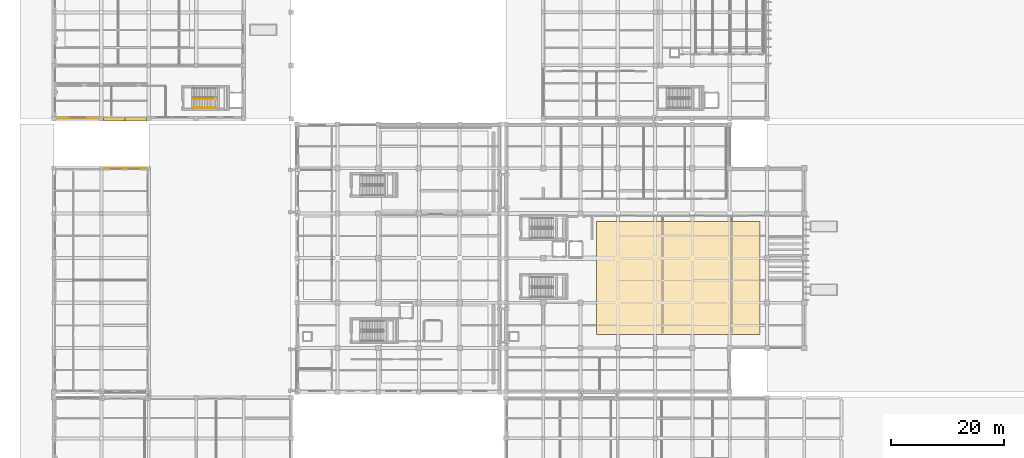
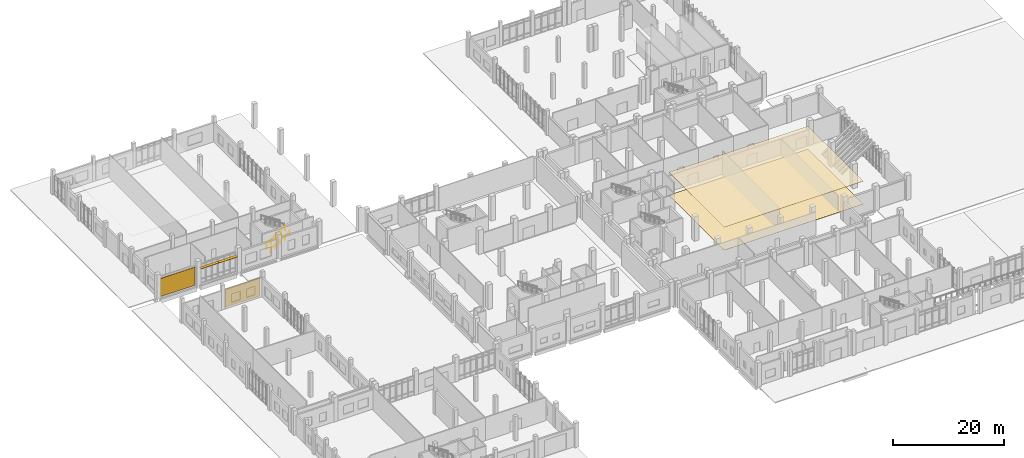
# One storey, part 74 of 79: 4 coverings, 2 railings, 2 shading devices.
"""IFC4 building model written with IfcOpenShell, lengths in metres."""

from ifc_helpers import new_model, si_unit, direction, frame, origin, origin_2d, place, context, subcontext, project, spatial, polyline, rectangle, circle, outline, extrude, material, layer, layer_set, type_object, element, save


model = new_model("IFC4")

# Units and contexts
model_context = context("Model", 3, precision=1e-05, world=origin(), true_north=direction((0.0, 1.0)))
body_context = subcontext(model_context, "Body", "Model", "MODEL_VIEW")
ifc_project = project(units=[si_unit("LENGTHUNIT", "METRE"), si_unit("AREAUNIT", "SQUARE_METRE"), si_unit("VOLUMEUNIT", "CUBIC_METRE"), si_unit("PLANEANGLEUNIT", "RADIAN"), si_unit("MASSUNIT", "GRAM", prefix="KILO")], contexts=[model_context])

# Site, building, storey
site_placement = place(None, origin())
site = spatial("IfcSite", under=ifc_project, at=site_placement, CompositionType="ELEMENT")
building_placement = place(site_placement, origin())
building = spatial("IfcBuilding", under=site, at=building_placement, Name="Kelarvand Opera House", CompositionType="ELEMENT")
storey_placement = place(building_placement, origin())
storey = spatial("IfcBuildingStorey", under=building, at=storey_placement, Name="L00", CompositionType="ELEMENT", Elevation=0.0)

# Coverings
ifc_material_1 = material(Name="Azarshahr buff travertine stone panels", Category="masonry")
ifc_layer_1 = layer(ifc_material_1, 0.06005859375, Name="Azarshahr buff travertine stone panels", Category="masonry")
ifc_layer_set_1 = layer_set([ifc_layer_1], Name="Azarshahr buff travertine stone panels")
covering_type_1 = type_object("IfcCoveringType", Name="Azarshahr Honed Travertine Rainscreen Cladding 60mm", PredefinedType="CLADDING", material=ifc_layer_set_1)
covering_1_placement = place(storey_placement, frame((13.199951171875, 87.174072265625, 0.10009765625), z_axis=(0.0, 0.0, 1.0), x_axis=(-1.0, 0.0, 0.0)))
element("IfcCovering", 1, at=covering_1_placement, inside=storey, type_object=covering_type_1, Name="V3 Travertine Facade Cladding 11", PredefinedType="CLADDING", context=body_context, shape_type="SweptSolid", body=[
    extrude(rectangle(XDim=7.179931640625, YDim=0.06005859375, at=origin_2d()), origin(), (0.0, 0.0, 1.0), 3.991943359375),
])
covering_2_placement = place(storey_placement, frame((21.60009765625, 78.406005859375, 0.10009765625), z_axis=(0.0, 0.0, 1.0), x_axis=(1.0, 0.0, 0.0)))
element("IfcCovering", 2, at=covering_2_placement, inside=storey, type_object=covering_type_1, Name="V4 Travertine Facade Cladding 16", PredefinedType="CLADDING", context=body_context, shape_type="SweptSolid", body=[
    extrude(rectangle(XDim=7.35009765625, YDim=0.06005859375, at=origin_2d()), origin(), (0.0, 0.0, 1.0), 4.0419921875),
])

# Railing
ifc_material_2 = material(Name="Brushed bronze tubular rail")
railing_type_1 = type_object("IfcRailingType", Name="Brushed Bronze Stair Wall Handrail 900", PredefinedType="HANDRAIL", material=ifc_material_2)
railing_1_placement = place(storey_placement, frame((33.659912109375, 89.050048828125, 0.179931640625)))
element("IfcRailing", 3, at=railing_1_placement, inside=storey, type_object=railing_type_1, Name="L00 ST-05 stair handrail 1", PredefinedType="HANDRAIL", context=body_context, shape_type="SweptSolid", body=[
    extrude(circle(Radius=0.02392578125, at=origin_2d()), frame((0.0, 0.0, 0.8759765625), z_axis=(0.841186985886, 0.0, 0.540744352514), x_axis=(0.0, 1.0, 0.0)), (0.0, 0.0, 1.0), 4.660400390625),
    extrude(circle(Radius=0.02099609375, at=origin_2d()), origin(), (0.0, 0.0, 1.0), 0.851806640625),
    extrude(circle(Radius=0.02099609375, at=origin_2d()), frame((0.97998046875, 0.0, 0.6298828125)), (0.0, 0.0, 1.0), 0.851806640625),
    extrude(circle(Radius=0.02099609375, at=origin_2d()), frame((1.9599609375, 0.0, 1.260009765625)), (0.0, 0.0, 1.0), 0.851806640625),
    extrude(circle(Radius=0.02099609375, at=origin_2d()), frame((2.940185546875, 0.0, 1.89013671875)), (0.0, 0.0, 1.0), 0.851806640625),
    extrude(circle(Radius=0.02099609375, at=origin_2d()), frame((3.920166015625, 0.0, 2.52001953125)), (0.0, 0.0, 1.0), 0.851806640625),
])

# Covering
ifc_material_3 = material(Name="Honed Azarshahr travertine stone flooring", Category="masonry")
ifc_layer_2 = layer(ifc_material_3, 0.0400390625, Name="Honed Azarshahr travertine stone flooring", Category="masonry")
ifc_layer_set_2 = layer_set([ifc_layer_2], Name="Honed Azarshahr travertine stone flooring")
covering_type_2 = type_object("IfcCoveringType", Name="Honed Azarshahr Travertine Foyer Flooring 40mm", PredefinedType="FLOORING", material=ifc_layer_set_2)
covering_3_placement = place(storey_placement, origin())
element("IfcCovering", 4, at=covering_3_placement, inside=storey, type_object=covering_type_2, Name="V1 L00 Architectural Flooring 8", PredefinedType="FLOORING", context=body_context, shape_type="SweptSolid", body=[
    extrude(outline(polyline([(105.0, 49.0), (134.0, 49.0), (134.0, 69.0), (105.0, 69.0), (105.0, 49.0)])), origin(), (0.0, 0.0, 1.0), 0.0400390625),
])

# Shading devices
ifc_material_4 = material(Name="Anodised bronze acoustic louvre")
ifc_layer_3 = layer(ifc_material_4, 0.070068359375, Name="Anodised bronze acoustic louvre")
ifc_layer_set_3 = layer_set([ifc_layer_3], Name="Anodised bronze acoustic louvre")
shading_device_type = type_object("IfcShadingDeviceType", Name="Horizontal Acoustic and Solar Bronze Louvre 600x70", PredefinedType="USERDEFINED", material=ifc_layer_set_3)
shading_device_1_placement = place(storey_placement, frame((23.491943359375, 87.0849609375, 3.46484375), z_axis=(0.0, 0.0, 1.0), x_axis=(-1.0, 0.0, 0.0)))
element("IfcShadingDevice", 5, at=shading_device_1_placement, inside=storey, type_object=shading_device_type, Name="V3 Sun Hood Louvre 3", ObjectType="LOUVRE", PredefinedType="USERDEFINED", context=body_context, shape_type="SweptSolid", body=[
    extrude(rectangle(XDim=3.81591796875, YDim=0.60009765625, at=origin_2d()), origin(), (0.0, 0.0, 1.0), 0.070068359375),
])
shading_device_2_placement = place(storey_placement, frame((19.7099609375, 87.0849609375, 3.46484375), z_axis=(0.0, 0.0, 1.0), x_axis=(-1.0, 0.0, 0.0)))
element("IfcShadingDevice", 6, at=shading_device_2_placement, inside=storey, type_object=shading_device_type, Name="V3 Sun Hood Louvre 4", ObjectType="LOUVRE", PredefinedType="USERDEFINED", context=body_context, shape_type="SweptSolid", body=[
    extrude(rectangle(XDim=3.820068359375, YDim=0.60009765625, at=origin_2d()), origin(), (0.0, 0.0, 1.0), 0.070068359375),
])

# Railing
ifc_material_5 = material(Name="Powder-coated Steel S355", Category="steel")
railing_type_2 = type_object("IfcRailingType", Name="Painted Steel Stair and Void Guardrail 1100", PredefinedType="GUARDRAIL", material=ifc_material_5)
railing_2_placement = place(storey_placement, frame((33.659912109375, 90.610107421875, 0.179931640625)))
element("IfcRailing", 7, at=railing_2_placement, inside=storey, type_object=railing_type_2, Name="L00 ST-05 stair guard 1", PredefinedType="GUARDRAIL", context=body_context, shape_type="SweptSolid", body=[
    extrude(circle(Radius=0.02392578125, at=origin_2d()), frame((0.0, 0.0, 1.076171875), z_axis=(0.841186985886, 0.0, 0.540744352514), x_axis=(0.0, 1.0, 0.0)), (0.0, 0.0, 1.0), 4.660400390625),
    extrude(circle(Radius=0.02099609375, at=origin_2d()), origin(), (0.0, 0.0, 1.0), 1.052001953125),
    extrude(circle(Radius=0.02099609375, at=origin_2d()), frame((0.97998046875, 0.0, 0.6298828125)), (0.0, 0.0, 1.0), 1.052001953125),
    extrude(circle(Radius=0.02099609375, at=origin_2d()), frame((1.9599609375, 0.0, 1.260009765625)), (0.0, 0.0, 1.0), 1.052001953125),
    extrude(circle(Radius=0.02099609375, at=origin_2d()), frame((2.940185546875, 0.0, 1.89013671875)), (0.0, 0.0, 1.0), 1.052001953125),
    extrude(circle(Radius=0.02099609375, at=origin_2d()), frame((3.920166015625, 0.0, 2.52001953125)), (0.0, 0.0, 1.0), 1.052001953125),
])

# Covering
ifc_material_6 = material(Name="Perforated walnut acoustic slats on steel sub-frame", Category="steel")
ifc_layer_4 = layer(ifc_material_6, 0.06005859375, Name="Perforated walnut acoustic slats on steel sub-frame", Category="steel")
ifc_layer_set_4 = layer_set([ifc_layer_4], Name="Perforated walnut acoustic slats on steel sub-frame")
covering_type_3 = type_object("IfcCoveringType", Name="Sculpted Timber Acoustic Soffit and Hall Ceiling 60mm", PredefinedType="CEILING", material=ifc_layer_set_4)
covering_4_placement = place(storey_placement, frame((0.0, 0.0, 5.0400390625)))
element("IfcCovering", 8, at=covering_4_placement, inside=storey, type_object=covering_type_3, Name="V1 L00 Acoustic Walnut Ceiling 1", PredefinedType="CEILING", context=body_context, shape_type="SweptSolid", body=[
    extrude(outline(polyline([(105.0, 49.0), (134.0, 49.0), (134.0, 69.0), (105.0, 69.0), (105.0, 49.0)])), origin(), (0.0, 0.0, 1.0), 0.06005859375),
])

save(model, "model.ifc")
